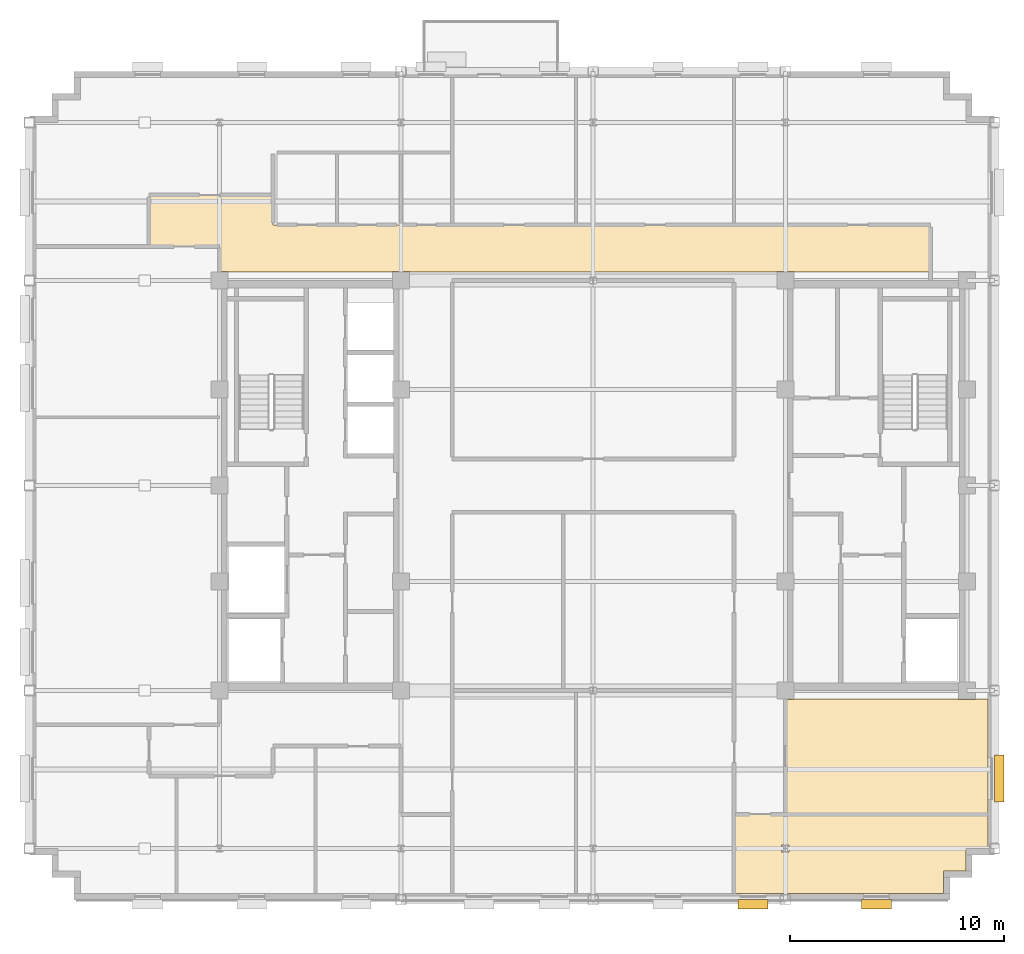
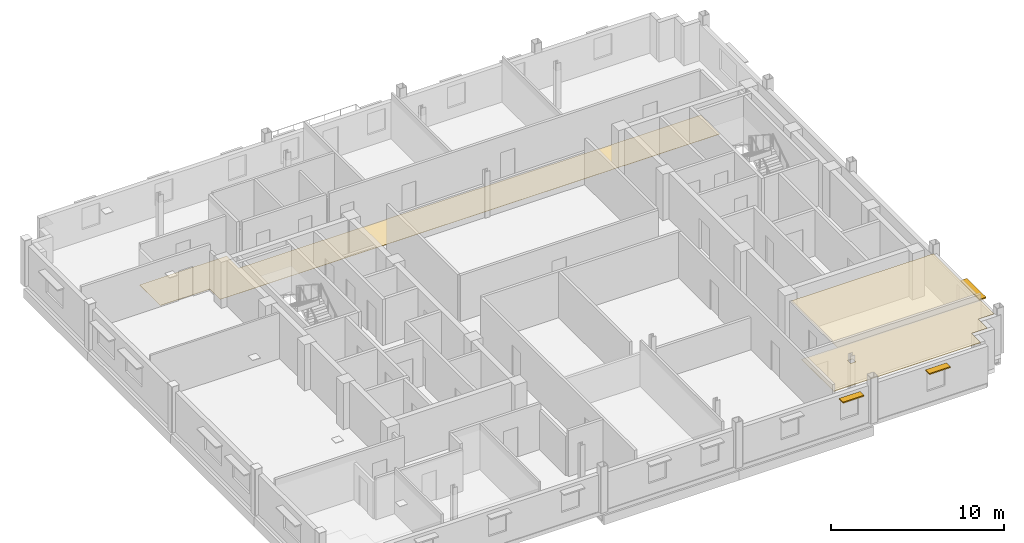
# One storey, part 12 of 14: 3 coverings, 3 shading devices.
"""IFC4 building model written with IfcOpenShell, lengths in metres."""

from ifc_helpers import new_model, si_unit, direction, frame, origin, origin_2d, place, context, subcontext, project, spatial, polyline, rectangle, outline, extrude, source, transform, mapped, material, layer, layer_set, type_object, type_shapes, element, save


model = new_model("IFC4")

# Units and contexts
model_context = context("Model", 3, precision=1e-05, world=origin(), true_north=direction((0.0, 1.0)))
body_context = subcontext(model_context, "Body", "Model", "MODEL_VIEW")
ifc_project = project(units=[si_unit("LENGTHUNIT", "METRE"), si_unit("AREAUNIT", "SQUARE_METRE"), si_unit("VOLUMEUNIT", "CUBIC_METRE"), si_unit("PLANEANGLEUNIT", "RADIAN"), si_unit("MASSUNIT", "GRAM", prefix="KILO")], contexts=[model_context])

# Site, building, storey
site_placement = place(None, origin())
site = spatial("IfcSite", under=ifc_project, at=site_placement, CompositionType="ELEMENT")
building_placement = place(site_placement, origin())
building = spatial("IfcBuilding", under=site, at=building_placement, Name="Nuvemarco Arch Tower", CompositionType="ELEMENT")
storey_placement = place(building_placement, frame((0.0, 0.0, 242.0)))
storey = spatial("IfcBuildingStorey", under=building, at=storey_placement, Name="L64", CompositionType="ELEMENT", Elevation=242.0)

# Coverings
ifc_material_1 = material(Name="Mineral acoustic ceiling tile")
ifc_layer_1 = layer(ifc_material_1, 0.0400390625, Name="COV-ACOUSTIC-CLG")
ifc_layer_set_1 = layer_set([ifc_layer_1], Name="Mineral acoustic ceiling tile")
covering_type_1 = type_object("IfcCoveringType", Name="COV-ACOUSTIC-CLG", PredefinedType="CEILING", material=ifc_layer_set_1)
covering_1_placement = place(storey_placement, frame((0.0, 0.0, 2.72998046875)))
element("IfcCovering", 1, at=covering_1_placement, inside=storey, type_object=covering_type_1, Name="L64 suspended acoustic ceiling 4", PredefinedType="CEILING", context=body_context, shape_type="SweptSolid", body=[
    extrude(outline(polyline([(17.0849609375, -10.014892578125), (17.9150390625, -10.014892578125), (17.9150390625, -10.0), (18.5, -10.0), (18.5, -15.39990234375), (9.0, -15.39990234375), (9.0, -10.014892578125), (9.4150390625, -10.014892578125), (9.4150390625, -10.0), (17.0849609375, -10.0), (17.0849609375, -10.014892578125)])), origin(), (0.0, 0.0, 1.0), 0.0400390625),
])
covering_2_placement = place(storey_placement, frame((0.0, 0.0, 2.72998046875)))
element("IfcCovering", 2, at=covering_2_placement, inside=storey, type_object=covering_type_1, Name="L64 suspended acoustic ceiling 7", PredefinedType="CEILING", context=body_context, shape_type="SweptSolid", body=[
    extrude(outline(polyline([(16.39990234375, -19.10009765625), (6.60009765625, -19.10009765625), (6.60009765625, -15.39990234375), (9.0, -15.39990234375), (18.5, -15.39990234375), (18.5, -17.0), (17.449951171875, -17.0), (17.449951171875, -18.050048828125), (16.39990234375, -18.050048828125), (16.39990234375, -19.10009765625)]), holes=[polyline([(9.169921875, -17.169921875), (9.169921875, -16.830078125), (8.830078125, -16.830078125), (8.830078125, -17.169921875), (9.169921875, -17.169921875)])]), origin(), (0.0, 0.0, 1.0), 0.0400390625),
])
ifc_material_2 = material(Name="Polished granite terrazzostone flooring", Category="masonry")
ifc_layer_2 = layer(ifc_material_2, 0.02001953125, Name="COV-LOBBY-FLR")
ifc_layer_set_2 = layer_set([ifc_layer_2], Name="Polished granite terrazzostone flooring")
covering_type_2 = type_object("IfcCoveringType", Name="COV-LOBBY-FLR", PredefinedType="FLOORING", material=ifc_layer_set_2)
covering_3_placement = place(storey_placement, origin())
element("IfcCovering", 3, at=covering_3_placement, inside=storey, type_object=covering_type_2, Name="L64 polished terrazzo lobby flooring", PredefinedType="FLOORING", context=body_context, shape_type="SweptSolid", body=[
    extrude(outline(polyline([(-8.5849609375, 10.014892578125), (-9.4150390625, 10.014892578125), (-9.4150390625, 10.0), (-17.0849609375, 10.0), (-17.0849609375, 10.014892578125), (-17.5, 10.014892578125), (-17.5, 11.199951171875), (-20.800048828125, 11.199951171875), (-20.800048828125, 13.60009765625), (-15.0, 13.60009765625), (-15.0, 12.199951171875), (-9.0, 12.199951171875), (-6.60009765625, 12.199951171875), (6.60009765625, 12.199951171875), (9.0, 12.199951171875), (15.800048828125, 12.199951171875), (15.800048828125, 10.0), (9.4150390625, 10.0), (9.4150390625, 10.014892578125), (8.5849609375, 10.014892578125), (8.5849609375, 10.0), (-8.5849609375, 10.0), (-8.5849609375, 10.014892578125)])), origin(), (0.0, 0.0, 1.0), 0.02001953125),
])

# Shading devices
ifc_material_3 = material(Name="Anodised aluminium 6063-T6", Category="aluminium")
shading_device_type_1 = type_object("IfcShadingDeviceType", Name="SHD-BRISE-SOLEIL", PredefinedType="USERDEFINED", material=ifc_material_3)
shared_shape_1 = source(origin(), body_context, "Body", "SweptSolid", [
    extrude(rectangle(XDim=2.199951171875, YDim=0.449951171875, at=origin_2d()), origin(), (0.0, 0.0, 1.0), 0.080078125),
])
type_shapes(shading_device_type_1, [shared_shape_1])
shading_device_placement = place(storey_placement, frame((19.014892578125, -13.7177734375, 2.284912109375), z_axis=(0.0, 0.0, 1.0), x_axis=(0.0, 1.0, 0.0)))
element("IfcShadingDevice", 4, at=shading_device_placement, inside=storey, type_object=shading_device_type_1, Name="L64 horizontal brise-soleil sunshade", ObjectType="SUNSHADE", PredefinedType="USERDEFINED", context=body_context, shape_type="MappedRepresentation", body=[
    mapped(shared_shape_1, transform((0.0, 0.0, 0.0), scale=1.0)),
])
shading_device_type_2 = type_object("IfcShadingDeviceType", Name="SHD-BRISE-NARROW", PredefinedType="USERDEFINED", material=ifc_material_3)
shared_shape_2 = source(origin(), body_context, "Body", "SweptSolid", [
    extrude(rectangle(XDim=1.39990234375, YDim=0.449951171875, at=origin_2d()), origin(), (0.0, 0.0, 1.0), 0.080078125),
])
type_shapes(shading_device_type_2, [shared_shape_2])
for number, where, z_axis, x_axis, name in (
    (5, (7.487548828125, -19.614990234375, 2.284912109375), (0.0, 0.0, 1.0), (1.0, 0.0, 0.0), "L64 horizontal brise-soleil sunshade"),
    (6, (13.262451171875, -19.614990234375, 2.284912109375), (0.0, 0.0, 1.0), (1.0, 0.0, 0.0), "L64 horizontal brise-soleil sunshade"),
):
    element("IfcShadingDevice", number, at=place(storey_placement, frame(where, z_axis=z_axis, x_axis=x_axis)), inside=storey, type_object=shading_device_type_2, Name=name, ObjectType="SUNSHADE", PredefinedType="USERDEFINED", context=body_context, shape_type="MappedRepresentation", body=[
        mapped(shared_shape_2, transform((0.0, 0.0, 0.0), scale=1.0)),
    ])

save(model, "model.ifc")
